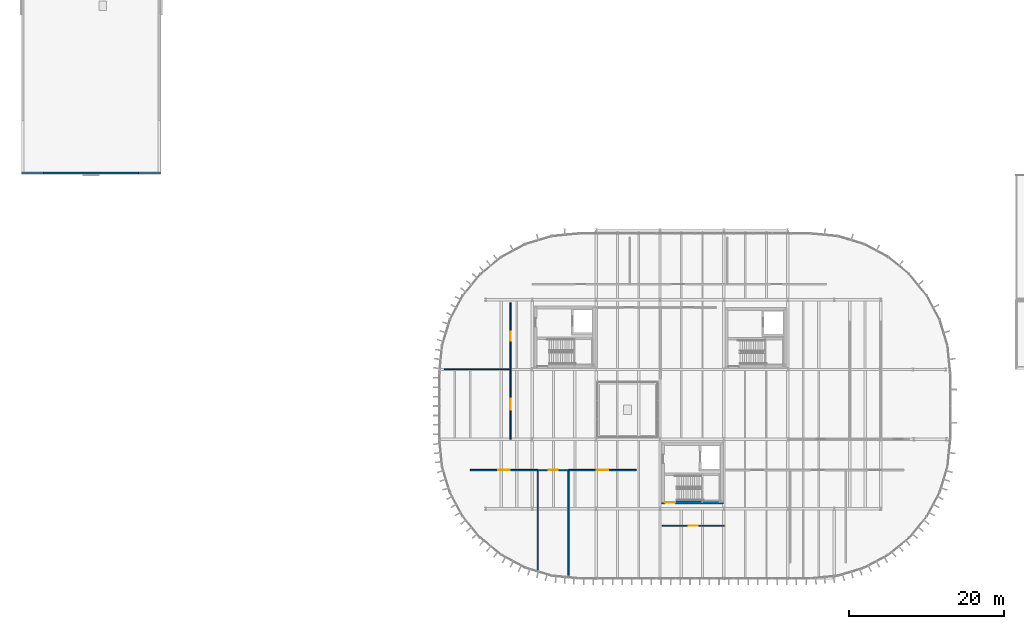
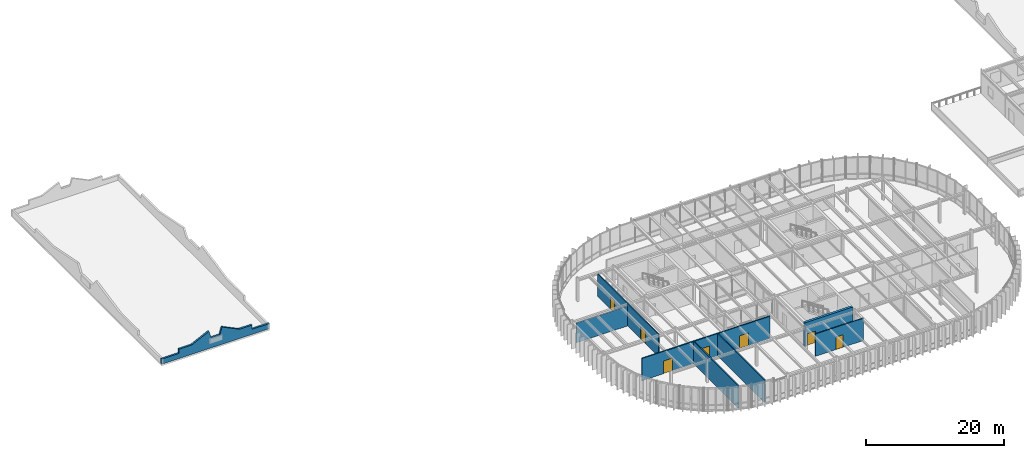
# One storey, part 20 of 31: 11 walls, 7 doors, 7 openings.
"""IFC4 building model written with IfcOpenShell, lengths in metres."""

from ifc_helpers import new_model, si_unit, direction, frame, frame_2d, origin, place, context, subcontext, project, spatial, polyline, rectangle, outline, extrude, material, layer, layer_set, type_object, element, fill, save


model = new_model("IFC4")

# Units and contexts
model_context = context("Model", 3, precision=1e-05, world=origin(), true_north=direction((0.0, 1.0)))
body_context = subcontext(model_context, "Body", "Model", "MODEL_VIEW")
ifc_project = project(units=[si_unit("LENGTHUNIT", "METRE"), si_unit("AREAUNIT", "SQUARE_METRE"), si_unit("VOLUMEUNIT", "CUBIC_METRE"), si_unit("PLANEANGLEUNIT", "RADIAN"), si_unit("MASSUNIT", "GRAM", prefix="KILO")], contexts=[model_context])

# Site, building, storey
site_placement = place(None, origin())
site = spatial("IfcSite", under=ifc_project, at=site_placement, CompositionType="ELEMENT")
building_placement = place(site_placement, origin())
building = spatial("IfcBuilding", under=site, at=building_placement, Name="Montealbar Specialist Clinic", CompositionType="ELEMENT")
storey_placement = place(building_placement, frame((0.0, 0.0, 13.800048828125)))
storey = spatial("IfcBuildingStorey", under=building, at=storey_placement, Name="L03", CompositionType="ELEMENT", Elevation=13.800048828125)

# Wall, opening, door
ifc_material_1 = material(Name="Concrete C35/45", Category="concrete")
ifc_layer_1 = layer(ifc_material_1, 0.39990234375, Name="Concrete C35/45", Category="concrete")
ifc_layer_set_1 = layer_set([ifc_layer_1], Name="Concrete C35/45")
wall_type_1 = type_object("IfcWallType", Name="WL-CORE-400", PredefinedType="SHEAR", material=ifc_layer_set_1)
wall_1_placement = place(storey_placement, frame((82.699951171875, 9.800048828125, 0.0), z_axis=(0.0, 0.0, 1.0), x_axis=(1.0, 0.0, 0.0)))
wall_1 = element("IfcWall", 1, at=wall_1_placement, inside=storey, type_object=wall_type_1, Name="Core C4 Shear Wall L03 S", PredefinedType="SHEAR", context=body_context, shape_type="SweptSolid", body=[
    extrude(rectangle(XDim=8.0, YDim=0.39990234375, at=frame_2d((4.0, 0.0))), origin(), (0.0, 0.0, 1.0), 4.199951171875),
])
opening_1_placement = place(wall_1_placement, frame((0.449951171875, 0.0, 0.0)))
opening_1 = element("IfcOpeningElement", 2, at=opening_1_placement, cuts=wall_1, Name="Opening SD-13", PredefinedType="OPENING", context=body_context, shape_type="SweptSolid", body=[
    extrude(rectangle(XDim=1.300048828125, YDim=2.14990234375, at=frame_2d((0.64990234375, 1.074951171875))), frame((0.0, 0.2099609375, 0.0), z_axis=(0.0, -1.0, 0.0), x_axis=(1.0, 0.0, 0.0)), (0.0, 0.0, 1.0), 0.419921875),
])
ifc_material_2 = material(Name="Steel S355", Category="steel")
door_type_1 = type_object("IfcDoorType", Name="DR-STAIR-W1300", OperationType="NOTDEFINED", PredefinedType="DOOR", material=ifc_material_2)
door_1_placement = place(opening_1_placement, frame((1.300048828125, 0.0, 0.0), z_axis=(0.0, 0.0, 1.0), x_axis=(-1.0, 0.0, 0.0)))
door_1 = element("IfcDoor", 3, at=door_1_placement, inside=storey, type_object=door_type_1, Name="Protected Core C4 Stair Fire Door L03", OperationType="SINGLE_SWING_RIGHT", OverallHeight=2.14990234375, OverallWidth=1.300048828125, PredefinedType="DOOR", context=body_context, shape_type="SweptSolid", body=[
    extrude(rectangle(XDim=1.300048828125, YDim=2.14990234375, at=frame_2d((0.64990234375, 1.074951171875))), frame((0.0, 0.02490234375, 0.0), z_axis=(0.0, -1.0, 0.0), x_axis=(1.0, 0.0, 0.0)), (0.0, 0.0, 1.0), 0.050048828125),
])
fill(opening_1, door_1)

# Walls
ifc_material_3 = material(Name="Gypsum acoustic partition", Category="gypsum")
ifc_layer_2 = layer(ifc_material_3, 0.139892578125, Name="Gypsum acoustic partition", Category="gypsum")
ifc_layer_set_2 = layer_set([ifc_layer_2], Name="Gypsum acoustic partition")
wall_type_2 = type_object("IfcWallType", Name="WL-PART-ACOUSTIC-140", PredefinedType="PARTITIONING", material=ifc_layer_set_2)
wall_2_placement = place(storey_placement, frame((54.60009765625, 27.0, 0.0), z_axis=(0.0, 0.0, 1.0), x_axis=(1.0, 0.0, 0.0)))
element("IfcWall", 4, at=wall_2_placement, inside=storey, type_object=wall_type_2, Name="Clinical Partition PART-L03-0262", PredefinedType="PARTITIONING", context=body_context, shape_type="SweptSolid", body=[
    extrude(rectangle(XDim=8.599853515625, YDim=0.139892578125, at=frame_2d((4.2998046875, 0.0))), origin(), (0.0, 0.0, 1.0), 3.489990234375),
])
ifc_layer_3 = layer(ifc_material_3, 0.179931640625, Name="Gypsum acoustic partition", Category="gypsum")
ifc_layer_set_3 = layer_set([ifc_layer_3], Name="Gypsum acoustic partition")
wall_type_3 = type_object("IfcWallType", Name="WL-PART-CLEAN-180", PredefinedType="PARTITIONING", material=ifc_layer_set_3)
wall_3_placement = place(storey_placement, frame((66.699951171875, 1.034912109375, 0.0), z_axis=(0.0, 0.0, 1.0), x_axis=(0.0, 1.0, 0.0)))
element("IfcWall", 5, at=wall_3_placement, inside=storey, type_object=wall_type_3, Name="Clinical Partition PART-L03-0166", PredefinedType="PARTITIONING", context=body_context, shape_type="SweptSolid", body=[
    extrude(rectangle(XDim=12.965087890625, YDim=0.179931640625, at=frame_2d((6.482421875, 0.0))), origin(), (0.0, 0.0, 1.0), 3.93994140625),
])
wall_4_placement = place(storey_placement, frame((70.699951171875, 0.39990234375, 0.0), z_axis=(0.0, 0.0, 1.0), x_axis=(0.0, 1.0, 0.0)))
element("IfcWall", 6, at=wall_4_placement, inside=storey, type_object=wall_type_3, Name="Clinical Partition PART-L03-0168", PredefinedType="PARTITIONING", context=body_context, shape_type="SweptSolid", body=[
    extrude(rectangle(XDim=13.60009765625, YDim=0.179931640625, at=frame_2d((6.800048828125, 0.0))), origin(), (0.0, 0.0, 1.0), 3.93994140625),
])

# Wall, opening, door
ifc_layer_4 = layer(ifc_material_3, 0.159912109375, Name="Gypsum acoustic partition", Category="gypsum")
ifc_layer_set_4 = layer_set([ifc_layer_4], Name="Gypsum acoustic partition")
wall_type_4 = type_object("IfcWallType", Name="WL-PART-CLINIC-160", PredefinedType="PARTITIONING", material=ifc_layer_set_4)
wall_5_placement = place(storey_placement, frame((63.199951171875, 18.0, 0.0), z_axis=(0.0, 0.0, 1.0), x_axis=(0.0, 1.0, 0.0)))
wall_5 = element("IfcWall", 7, at=wall_5_placement, inside=storey, type_object=wall_type_4, Name="Clinical Partition PART-L03-0261", PredefinedType="PARTITIONING", context=body_context, shape_type="SweptSolid", body=[
    extrude(rectangle(XDim=9.0, YDim=0.159912109375, at=frame_2d((4.5, 0.0))), origin(), (0.0, 0.0, 1.0), 3.93994140625),
])
opening_2_placement = place(wall_5_placement, frame((3.800048828125, 0.0, 0.0)))
opening_2 = element("IfcOpeningElement", 8, at=opening_2_placement, cuts=wall_5, Name="Opening ID-140", PredefinedType="OPENING", context=body_context, shape_type="SweptSolid", body=[
    extrude(rectangle(XDim=1.39990234375, YDim=2.199951171875, at=frame_2d((0.699951171875, 1.10009765625))), frame((0.0, 0.08984375, 0.0), z_axis=(0.0, -1.0, 0.0), x_axis=(1.0, 0.0, 0.0)), (0.0, 0.0, 1.0), 0.179931640625),
])
ifc_material_4 = material(Name="Acoustic timber leaf", Category="wood")
door_type_2 = type_object("IfcDoorType", Name="DR-BED-W1400", OperationType="NOTDEFINED", PredefinedType="DOOR", material=ifc_material_4)
door_2_placement = place(opening_2_placement, frame((1.39990234375, 0.0, 0.0), z_axis=(0.0, 0.0, 1.0), x_axis=(-1.0, 0.0, 0.0)))
door_2 = element("IfcDoor", 9, at=door_2_placement, inside=storey, type_object=door_type_2, Name="Clinical Room Door IDR-L03-0169", OperationType="SINGLE_SWING_LEFT", OverallHeight=2.199951171875, OverallWidth=1.39990234375, PredefinedType="DOOR", context=body_context, shape_type="SweptSolid", body=[
    extrude(rectangle(XDim=1.39990234375, YDim=2.199951171875, at=frame_2d((0.699951171875, 1.10009765625))), frame((0.0, 0.02490234375, 0.0), z_axis=(0.0, -1.0, 0.0), x_axis=(1.0, 0.0, 0.0)), (0.0, 0.0, 1.0), 0.050048828125),
])
fill(opening_2, door_2)

wall_6_placement = place(storey_placement, frame((63.199951171875, 27.0, 0.0), z_axis=(0.0, 0.0, 1.0), x_axis=(0.0, 1.0, 0.0)))
wall_6 = element("IfcWall", 10, at=wall_6_placement, inside=storey, type_object=wall_type_4, Name="Clinical Partition PART-L03-0263", PredefinedType="PARTITIONING", context=body_context, shape_type="SweptSolid", body=[
    extrude(rectangle(XDim=8.60009765625, YDim=0.159912109375, at=frame_2d((4.300048828125, 0.0))), origin(), (0.0, 0.0, 1.0), 3.93994140625),
])
opening_3_placement = place(wall_6_placement, frame((3.699951171875, 0.0, 0.0)))
opening_3 = element("IfcOpeningElement", 11, at=opening_3_placement, cuts=wall_6, Name="Opening ID-120", PredefinedType="OPENING", context=body_context, shape_type="SweptSolid", body=[
    extrude(rectangle(XDim=1.199951171875, YDim=2.199951171875, at=frame_2d((0.60009765625, 1.10009765625))), frame((0.0, 0.08984375, 0.0), z_axis=(0.0, -1.0, 0.0), x_axis=(1.0, 0.0, 0.0)), (0.0, 0.0, 1.0), 0.179931640625),
])
door_type_3 = type_object("IfcDoorType", Name="DR-CLIN-W1200", OperationType="NOTDEFINED", PredefinedType="DOOR", material=ifc_material_4)
door_3_placement = place(opening_3_placement, frame((1.199951171875, 0.0, 0.0), z_axis=(0.0, 0.0, 1.0), x_axis=(-1.0, 0.0, 0.0)))
door_3 = element("IfcDoor", 12, at=door_3_placement, inside=storey, type_object=door_type_3, Name="Clinical Room Door IDR-L03-0170", OperationType="SINGLE_SWING_RIGHT", OverallHeight=2.199951171875, OverallWidth=1.199951171875, PredefinedType="DOOR", context=body_context, shape_type="SweptSolid", body=[
    extrude(rectangle(XDim=1.199951171875, YDim=2.199951171875, at=frame_2d((0.60009765625, 1.10009765625))), frame((0.0, 0.02490234375, 0.0), z_axis=(0.0, -1.0, 0.0), x_axis=(1.0, 0.0, 0.0)), (0.0, 0.0, 1.0), 0.050048828125),
])
fill(opening_3, door_3)

wall_7_placement = place(storey_placement, frame((82.800048828125, 6.800048828125, 0.0), z_axis=(0.0, 0.0, 1.0), x_axis=(1.0, 0.0, 0.0)))
wall_7 = element("IfcWall", 13, at=wall_7_placement, inside=storey, type_object=wall_type_4, Name="Clinical Partition PART-L03-0264", PredefinedType="PARTITIONING", context=body_context, shape_type="SweptSolid", body=[
    extrude(rectangle(XDim=8.0, YDim=0.159912109375, at=frame_2d((4.0, 0.0))), origin(), (0.0, 0.0, 1.0), 3.93994140625),
])
opening_4_placement = place(wall_7_placement, frame((3.39990234375, 0.0, 0.0)))
opening_4 = element("IfcOpeningElement", 14, at=opening_4_placement, cuts=wall_7, Name="Opening ID-120", PredefinedType="OPENING", context=body_context, shape_type="SweptSolid", body=[
    extrude(rectangle(XDim=1.199951171875, YDim=2.199951171875, at=frame_2d((0.60009765625, 1.10009765625))), frame((0.0, 0.08984375, 0.0), z_axis=(0.0, -1.0, 0.0), x_axis=(1.0, 0.0, 0.0)), (0.0, 0.0, 1.0), 0.179931640625),
])
door_4_placement = place(opening_4_placement, origin())
door_4 = element("IfcDoor", 15, at=door_4_placement, inside=storey, type_object=door_type_3, Name="Clinical Room Door IDR-L03-0171", OperationType="SINGLE_SWING_LEFT", OverallHeight=2.199951171875, OverallWidth=1.199951171875, PredefinedType="DOOR", context=body_context, shape_type="SweptSolid", body=[
    extrude(rectangle(XDim=1.199951171875, YDim=2.199951171875, at=frame_2d((0.60009765625, 1.10009765625))), frame((0.0, 0.02490234375, 0.0), z_axis=(0.0, -1.0, 0.0), x_axis=(1.0, 0.0, 0.0)), (0.0, 0.0, 1.0), 0.050048828125),
])
fill(opening_4, door_4)

ifc_material_5 = material(Name="Concrete C30/37", Category="concrete")
ifc_layer_5 = layer(ifc_material_5, 0.199951171875, Name="Concrete C30/37", Category="concrete")
ifc_layer_set_5 = layer_set([ifc_layer_5], Name="Concrete C30/37")
wall_type_5 = type_object("IfcWallType", Name="WL-PART-FIRE-200", PredefinedType="PARTITIONING", material=ifc_layer_set_5)
wall_8_placement = place(storey_placement, frame((58.0, 14.0, 0.0), z_axis=(0.0, 0.0, 1.0), x_axis=(1.0, 0.0, 0.0)))
wall_8 = element("IfcWall", 16, at=wall_8_placement, inside=storey, type_object=wall_type_5, Name="Clinical Partition PART-L03-0165", PredefinedType="PARTITIONING", context=body_context, shape_type="SweptSolid", body=[
    extrude(rectangle(XDim=8.699951171875, YDim=0.199951171875, at=frame_2d((4.35009765625, 0.0))), origin(), (0.0, 0.0, 1.0), 3.93994140625),
])
opening_5_placement = place(wall_8_placement, frame((3.60009765625, 0.0, 0.0)))
opening_5 = element("IfcOpeningElement", 17, at=opening_5_placement, cuts=wall_8, Name="Opening ID-150", PredefinedType="OPENING", context=body_context, shape_type="SweptSolid", body=[
    extrude(rectangle(XDim=1.5, YDim=2.25, at=frame_2d((0.75, 1.125))), frame((0.0, 0.10986328125, 0.0), z_axis=(0.0, -1.0, 0.0), x_axis=(1.0, 0.0, 0.0)), (0.0, 0.0, 1.0), 0.219970703125),
])
door_type_4 = type_object("IfcDoorType", Name="DR-OR-W1500", OperationType="SLIDING_TO_LEFT", PredefinedType="DOOR", material=ifc_material_4)
door_5_placement = place(opening_5_placement, origin())
door_5 = element("IfcDoor", 18, at=door_5_placement, inside=storey, type_object=door_type_4, Name="Clinical Room Door IDR-L03-0107", OperationType="SLIDING_TO_LEFT", OverallHeight=2.25, OverallWidth=1.5, PredefinedType="DOOR", context=body_context, shape_type="SweptSolid", body=[
    extrude(rectangle(XDim=1.5, YDim=2.25, at=frame_2d((0.75, 1.125))), frame((0.0, 0.02490234375, 0.0), z_axis=(0.0, -1.0, 0.0), x_axis=(1.0, 0.0, 0.0)), (0.0, 0.0, 1.0), 0.050048828125),
])
fill(opening_5, door_5)

wall_9_placement = place(storey_placement, frame((66.699951171875, 14.0, 0.0), z_axis=(0.0, 0.0, 1.0), x_axis=(1.0, 0.0, 0.0)))
wall_9 = element("IfcWall", 19, at=wall_9_placement, inside=storey, type_object=wall_type_5, Name="Clinical Partition PART-L03-0167", PredefinedType="PARTITIONING", context=body_context, shape_type="SweptSolid", body=[
    extrude(rectangle(XDim=4.0, YDim=0.199951171875, at=frame_2d((2.0, 0.0))), origin(), (0.0, 0.0, 1.0), 3.93994140625),
])
opening_6_placement = place(wall_9_placement, frame((1.39990234375, 0.0, 0.0)))
opening_6 = element("IfcOpeningElement", 20, at=opening_6_placement, cuts=wall_9, Name="Opening ID-120", PredefinedType="OPENING", context=body_context, shape_type="SweptSolid", body=[
    extrude(rectangle(XDim=1.199951171875, YDim=2.199951171875, at=frame_2d((0.60009765625, 1.10009765625))), frame((0.0, 0.10986328125, 0.0), z_axis=(0.0, -1.0, 0.0), x_axis=(1.0, 0.0, 0.0)), (0.0, 0.0, 1.0), 0.219970703125),
])
door_6_placement = place(opening_6_placement, origin())
door_6 = element("IfcDoor", 21, at=door_6_placement, inside=storey, type_object=door_type_3, Name="Clinical Room Door IDR-L03-0108", OperationType="SINGLE_SWING_RIGHT", OverallHeight=2.199951171875, OverallWidth=1.199951171875, PredefinedType="DOOR", context=body_context, shape_type="SweptSolid", body=[
    extrude(rectangle(XDim=1.199951171875, YDim=2.199951171875, at=frame_2d((0.60009765625, 1.10009765625))), frame((0.0, 0.02490234375, 0.0), z_axis=(0.0, -1.0, 0.0), x_axis=(1.0, 0.0, 0.0)), (0.0, 0.0, 1.0), 0.050048828125),
])
fill(opening_6, door_6)

wall_10_placement = place(storey_placement, frame((70.699951171875, 14.0, 0.0), z_axis=(0.0, 0.0, 1.0), x_axis=(1.0, 0.0, 0.0)))
wall_10 = element("IfcWall", 22, at=wall_10_placement, inside=storey, type_object=wall_type_5, Name="Clinical Partition PART-L03-0169", PredefinedType="PARTITIONING", context=body_context, shape_type="SweptSolid", body=[
    extrude(rectangle(XDim=8.699951171875, YDim=0.199951171875, at=frame_2d((4.35009765625, 0.0))), origin(), (0.0, 0.0, 1.0), 3.93994140625),
])
opening_7_placement = place(wall_10_placement, frame((3.60009765625, 0.0, 0.0)))
opening_7 = element("IfcOpeningElement", 23, at=opening_7_placement, cuts=wall_10, Name="Opening ID-150", PredefinedType="OPENING", context=body_context, shape_type="SweptSolid", body=[
    extrude(rectangle(XDim=1.5, YDim=2.25, at=frame_2d((0.75, 1.125))), frame((0.0, 0.10986328125, 0.0), z_axis=(0.0, -1.0, 0.0), x_axis=(1.0, 0.0, 0.0)), (0.0, 0.0, 1.0), 0.219970703125),
])
door_7_placement = place(opening_7_placement, origin())
door_7 = element("IfcDoor", 24, at=door_7_placement, inside=storey, type_object=door_type_4, Name="Clinical Room Door IDR-L03-0109", OperationType="SLIDING_TO_LEFT", OverallHeight=2.25, OverallWidth=1.5, PredefinedType="DOOR", context=body_context, shape_type="SweptSolid", body=[
    extrude(rectangle(XDim=1.5, YDim=2.25, at=frame_2d((0.75, 1.125))), frame((0.0, 0.02490234375, 0.0), z_axis=(0.0, -1.0, 0.0), x_axis=(1.0, 0.0, 0.0)), (0.0, 0.0, 1.0), 0.050048828125),
])
fill(opening_7, door_7)

# Wall
ifc_material_6 = material(Name="Terracotta architectural cladding", Category="masonry")
ifc_layer_6 = layer(ifc_material_6, 0.300048828125, Name="Terracotta architectural cladding", Category="masonry")
ifc_layer_set_6 = layer_set([ifc_layer_6], Name="Terracotta architectural cladding")
wall_type_6 = type_object("IfcWallType", Name="WL-PEDIMENT-300", PredefinedType="PARAPET", material=ifc_layer_set_6)
wall_11_placement = place(storey_placement, frame((18.0, 52.3701171875, 0.0), z_axis=(0.0, 0.0, 1.0), x_axis=(-1.0, 0.0, 0.0)))
element("IfcWall", 25, at=wall_11_placement, inside=storey, type_object=wall_type_6, Name="Postmodern Broken-Pediment Gable Parapet L03-15", PredefinedType="PARAPET", context=body_context, shape_type="SweptSolid", body=[
    extrude(outline(polyline([(0.0, 0.0), (18.0, 0.0), (18.0, 0.89990234375), (15.1201171875, 0.89990234375), (15.10009765625, 1.64990234375), (12.9599609375, 1.64990234375), (10.080078125, 3.050048828125), (9.719970703125, 1.800048828125), (8.280029296875, 1.800048828125), (7.919921875, 3.050048828125), (5.0400390625, 1.64990234375), (2.89990234375, 1.64990234375), (2.8798828125, 0.89990234375), (0.0, 0.89990234375), (0.0, 0.0)])), frame((0.0, 0.14990234375, 0.0), z_axis=(0.0, -1.0, 0.0), x_axis=(1.0, 0.0, 0.0)), (0.0, 0.0, 1.0), 0.300048828125),
])

save(model, "model.ifc")
